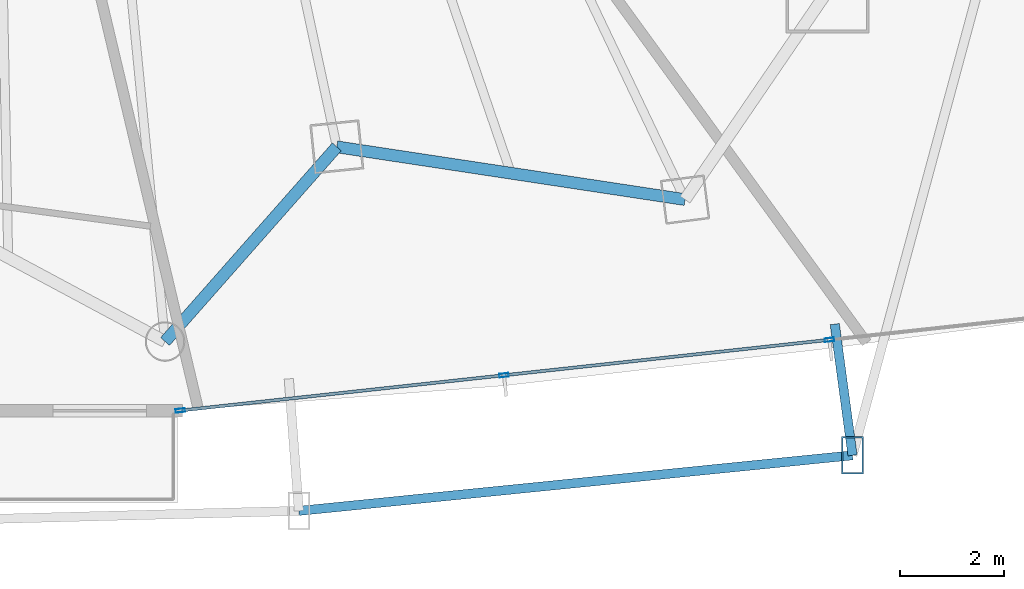
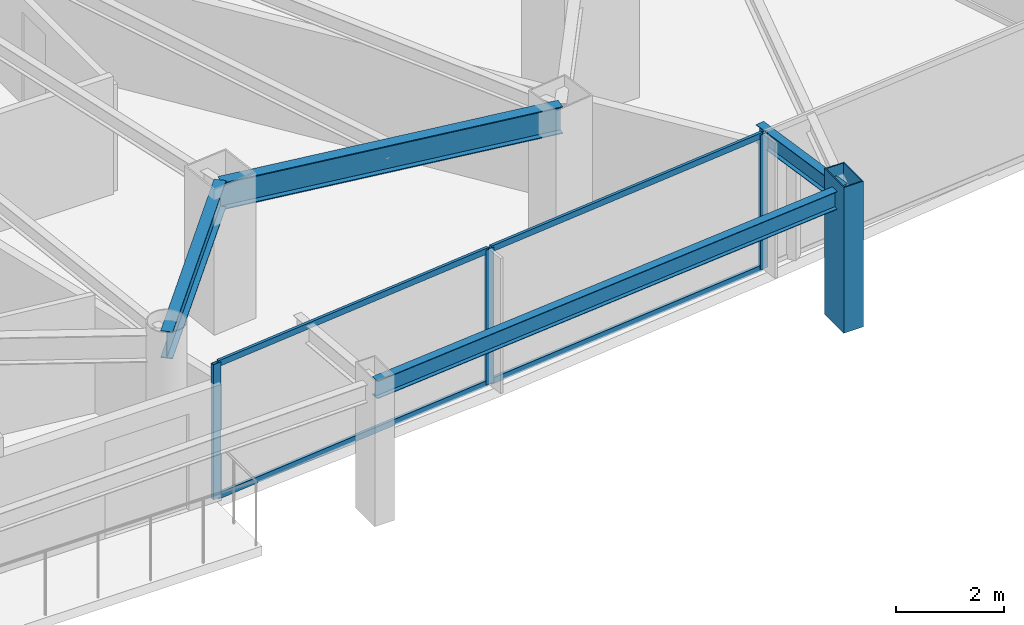
# One storey, part 13 of 33: 8 members, 4 beams, 1 element without a shape of its own.
"""IFC4 building model written with IfcOpenShell, lengths in metres."""

from ifc_helpers import new_model, si_unit, direction, frame, origin, origin_2d, place, context, subcontext, project, spatial, hollow_rectangle, i_section, extrude, material, layer, layer_set, material_profile, profile_set, type_object, element, aggregate, save


model = new_model("IFC4")

# Units and contexts
model_context = context("Model", 3, precision=1e-05, world=origin(), true_north=direction((0.0, 1.0)))
body_context = subcontext(model_context, "Body", "Model", "MODEL_VIEW")
ifc_project = project(units=[si_unit("LENGTHUNIT", "METRE"), si_unit("AREAUNIT", "SQUARE_METRE"), si_unit("VOLUMEUNIT", "CUBIC_METRE"), si_unit("PLANEANGLEUNIT", "RADIAN"), si_unit("MASSUNIT", "GRAM", prefix="KILO")], contexts=[model_context])

# Site, building, storey
site_placement = place(None, origin())
site = spatial("IfcSite", under=ifc_project, at=site_placement, CompositionType="ELEMENT")
building_placement = place(site_placement, origin())
building = spatial("IfcBuilding", under=site, at=building_placement, Name="Orvanel Arch Residences", CompositionType="ELEMENT")
storey_placement = place(building_placement, frame((0.0, 0.0, 84.050048828125)))
storey = spatial("IfcBuildingStorey", under=building, at=storey_placement, Name="L23", CompositionType="ELEMENT", Elevation=84.050048828125)

# Member
ifc_material_1 = material(Name="Structural steel AS/NZS 3678 Grade 350", Category="steel")
ifc_material_profile_1 = material_profile(ifc_material_1, hollow_rectangle(XDim=0.419921875, YDim=0.719970703125, WallThickness=0.02490234375, at=origin_2d()), Name="RHS720x420x25")
ifc_profile_set_1 = profile_set([ifc_material_profile_1], Name="Structural steel AS/NZS 3678 Grade 350")
member_type_1 = type_object("IfcMemberType", Name="CH-720RHS-EXT", PredefinedType="CHORD", material=ifc_profile_set_1)
member_1_placement = place(storey_placement, frame((52.284912109375, 1.4130859375, 0.0), z_axis=(0.0, 0.0, 1.0), x_axis=(1.0, 0.0, 0.0)))
element("IfcMember", 1, at=member_1_placement, inside=storey, type_object=member_type_1, Name="L23 Outer Perimeter Frame Post 08", PredefinedType="CHORD", context=body_context, shape_type="SweptSolid", body=[
    extrude(hollow_rectangle(XDim=0.419921875, YDim=0.719970703125, WallThickness=0.02490234375, at=origin_2d()), origin(), (0.0, 0.0, 1.0), 3.300048828125),
])

# Curtain wall, members
ifc_material_2 = material(Name="Bronze-anodised aluminium AA6063-T6", Category="aluminium")
ifc_layer = layer(ifc_material_2, 0.179931640625)
ifc_layer_set = layer_set([ifc_layer], Name="Bronze-anodised aluminium AA6063-T6")
curtain_wall_type = type_object("IfcCurtainWallType", Name="CW2-LOW-SYS", PredefinedType="NOTDEFINED", material=ifc_layer_set)
curtain_wall_placement = place(storey_placement, origin())
curtain_wall = element("IfcCurtainWall", 2, at=curtain_wall_placement, inside=storey, type_object=curtain_wall_type, Name="L23 CW2-LOW-SYS Unitised Curtain Wall", PredefinedType="NOTDEFINED")
ifc_material_profile_2 = material_profile(ifc_material_2, hollow_rectangle(XDim=0.070068359375, YDim=0.179931640625, WallThickness=0.00439453125, at=origin_2d()), Name="ALU180x70x4.5")
ifc_profile_set_2 = profile_set([ifc_material_profile_2], Name="Bronze-anodised aluminium AA6063-T6")
member_type_2 = type_object("IfcMemberType", Name="MUL-180x70", PredefinedType="MULLION", material=ifc_profile_set_2)
member_2_placement = place(storey_placement, frame((39.3369140625, 2.27587890625, 0.0), z_axis=(0.0, 0.0, 1.0), x_axis=(-0.108307893213, 0.994117397629, 0.0)))
member_2 = element("IfcMember", 3, at=member_2_placement, type_object=member_type_2, Name="CW-S2 mullion 1", PredefinedType="MULLION", context=body_context, shape_type="SweptSolid", body=[
    extrude(hollow_rectangle(XDim=0.070068359375, YDim=0.179931640625, WallThickness=0.00439453125, at=origin_2d()), origin(), (0.0, 0.0, 1.0), 3.06005859375),
])
member_3_placement = place(storey_placement, frame((45.571044921875, 2.955078125, 0.0), z_axis=(0.0, 0.0, 1.0), x_axis=(-0.108307893213, 0.994117397629, 0.0)))
member_3 = element("IfcMember", 4, at=member_3_placement, type_object=member_type_2, Name="CW-S2 mullion 2", PredefinedType="MULLION", context=body_context, shape_type="SweptSolid", body=[
    extrude(hollow_rectangle(XDim=0.070068359375, YDim=0.179931640625, WallThickness=0.00439453125, at=origin_2d()), origin(), (0.0, 0.0, 1.0), 3.06005859375),
])
member_4_placement = place(storey_placement, frame((51.840087890625, 3.637939453125, 0.0), z_axis=(0.0, 0.0, 1.0), x_axis=(-0.108307893213, 0.994117397629, 0.0)))
member_4 = element("IfcMember", 5, at=member_4_placement, type_object=member_type_2, Name="CW-S2 mullion 3", PredefinedType="MULLION", context=body_context, shape_type="SweptSolid", body=[
    extrude(hollow_rectangle(XDim=0.070068359375, YDim=0.179931640625, WallThickness=0.00439453125, at=origin_2d()), origin(), (0.0, 0.0, 1.0), 3.06005859375),
])

# Beams
ifc_material_3 = material(Name="Structural steel AS/NZS 3679.1 Grade 300 (300 MPa)", Category="steel")
ifc_material_profile_3 = material_profile(ifc_material_3, i_section(OverallWidth=0.177978515625, OverallDepth=0.406005859375, WebThickness=0.0078125, FlangeThickness=0.0126953125, at=origin_2d()), Name="410UB59.7")
ifc_profile_set_3 = profile_set([ifc_material_profile_3], Name="Structural steel AS/NZS 3679.1 Grade 300 (300 MPa)")
beam_type_1 = type_object("IfcBeamType", Name="OB-410UB-EXT", PredefinedType="SPANDREL", material=ifc_profile_set_3)
beam_1_placement = place(storey_placement, frame((41.6201171875, 0.343017578125, 2.85693359375), z_axis=(0.995003983091, 0.099835232422, 0.0), x_axis=(-0.099835232422, 0.995003983091, 0.0)))
element("IfcBeam", 6, at=beam_1_placement, inside=storey, type_object=beam_type_1, Name="L23 Outer Perimeter Floor Ring Beam 07", PredefinedType="SPANDREL", context=body_context, shape_type="SweptSolid", body=[
    extrude(i_section(OverallWidth=0.177978515625, OverallDepth=0.406005859375, WebThickness=0.0078125, FlangeThickness=0.0126953125, at=origin_2d()), origin(), (0.0, 0.0, 1.0), 10.71826171875),
])
beam_2_placement = place(storey_placement, frame((51.943115234375, 3.93994140625, 2.85693359375), z_axis=(0.134044961502, -0.990975251102, 0.0), x_axis=(0.990975251102, 0.134044961502, 0.0)))
element("IfcBeam", 7, at=beam_2_placement, inside=storey, type_object=beam_type_1, Name="L23 Outer Frame Radial Tie Beam 08", PredefinedType="SPANDREL", context=body_context, shape_type="SweptSolid", body=[
    extrude(i_section(OverallWidth=0.177978515625, OverallDepth=0.406005859375, WebThickness=0.0078125, FlangeThickness=0.0126953125, at=origin_2d()), origin(), (0.0, 0.0, 1.0), 2.5498046875),
])
ifc_material_profile_4 = material_profile(ifc_material_3, i_section(OverallWidth=0.22900390625, OverallDepth=0.612060546875, WebThickness=0.011962890625, FlangeThickness=0.01953125, at=origin_2d()), Name="610UB125")
ifc_profile_set_4 = profile_set([ifc_material_profile_4], Name="Structural steel AS/NZS 3679.1 Grade 300 (300 MPa)")
beam_type_2 = type_object("IfcBeamType", Name="SP-610UB", PredefinedType="SPANDREL", material=ifc_profile_set_4)
beam_3_placement = place(storey_placement, frame((39.0419921875, 3.60498046875, 2.75390625), z_axis=(0.661650698195, 0.749812212209, 0.0), x_axis=(-0.749812212209, 0.661650698195, 0.0)))
element("IfcBeam", 8, at=beam_3_placement, inside=storey, type_object=beam_type_2, Name="L23 Perimeter Spandrel Beam 08", PredefinedType="SPANDREL", context=body_context, shape_type="SweptSolid", body=[
    extrude(i_section(OverallWidth=0.22900390625, OverallDepth=0.612060546875, WebThickness=0.011962890625, FlangeThickness=0.01953125, at=origin_2d()), origin(), (0.0, 0.0, 1.0), 5.001220703125),
])
beam_4_placement = place(storey_placement, frame((42.35107421875, 7.35498046875, 2.75390625), z_axis=(0.988726323014, -0.149733958002, 0.0), x_axis=(0.149733958002, 0.988726323014, 0.0)))
element("IfcBeam", 9, at=beam_4_placement, inside=storey, type_object=beam_type_2, Name="L23 Perimeter Spandrel Beam 09", PredefinedType="SPANDREL", context=body_context, shape_type="SweptSolid", body=[
    extrude(i_section(OverallWidth=0.22900390625, OverallDepth=0.612060546875, WebThickness=0.011962890625, FlangeThickness=0.01953125, at=origin_2d()), origin(), (0.0, 0.0, 1.0), 6.784423828125),
])

# Member
ifc_material_profile_5 = material_profile(ifc_material_2, hollow_rectangle(XDim=0.06005859375, YDim=0.135009765625, WallThickness=0.00390625, at=origin_2d()), Name="ALU135x60x4")
ifc_profile_set_5 = profile_set([ifc_material_profile_5], Name="Bronze-anodised aluminium AA6063-T6")
member_type_3 = type_object("IfcMemberType", Name="TRN-135x60", PredefinedType="USERDEFINED", material=ifc_profile_set_5)
member_5_placement = place(storey_placement, frame((39.37158203125, 2.279541015625, 0.030029296875), z_axis=(0.994117215729, 0.108309562791, 0.0), x_axis=(-0.108309562791, 0.994117215729, 0.0)))
member_5 = element("IfcMember", 10, at=member_5_placement, type_object=member_type_3, Name="CW-S2 transom 1.1", ObjectType="TRANSOM", PredefinedType="USERDEFINED", context=body_context, shape_type="SweptSolid", body=[
    extrude(hollow_rectangle(XDim=0.06005859375, YDim=0.135009765625, WallThickness=0.00390625, at=origin_2d()), origin(), (0.0, 0.0, 1.0), 6.200927734375),
])

member_6_placement = place(storey_placement, frame((39.37158203125, 2.279541015625, 3.030029296875), z_axis=(0.994117215729, 0.108309562791, 0.0), x_axis=(-0.108309562791, 0.994117215729, 0.0)))
member_6 = element("IfcMember", 11, at=member_6_placement, type_object=member_type_3, Name="CW-S2 transom 1.2", ObjectType="TRANSOM", PredefinedType="USERDEFINED", context=body_context, shape_type="SweptSolid", body=[
    extrude(hollow_rectangle(XDim=0.06005859375, YDim=0.135009765625, WallThickness=0.00390625, at=origin_2d()), origin(), (0.0, 0.0, 1.0), 6.200927734375),
])

member_7_placement = place(storey_placement, frame((45.605712890625, 2.958740234375, 0.030029296875), z_axis=(0.994115444841, 0.108325815614, 0.0), x_axis=(-0.108325815614, 0.994115444841, 0.0)))
member_7 = element("IfcMember", 12, at=member_7_placement, type_object=member_type_3, Name="CW-S2 transom 2.1", ObjectType="TRANSOM", PredefinedType="USERDEFINED", context=body_context, shape_type="SweptSolid", body=[
    extrude(hollow_rectangle(XDim=0.06005859375, YDim=0.135009765625, WallThickness=0.00390625, at=origin_2d()), origin(), (0.0, 0.0, 1.0), 6.236083984375),
])

member_8_placement = place(storey_placement, frame((45.605712890625, 2.958740234375, 3.030029296875), z_axis=(0.994115444841, 0.108325815614, 0.0), x_axis=(-0.108325815614, 0.994115444841, 0.0)))
member_8 = element("IfcMember", 13, at=member_8_placement, type_object=member_type_3, Name="CW-S2 transom 2.2", ObjectType="TRANSOM", PredefinedType="USERDEFINED", context=body_context, shape_type="SweptSolid", body=[
    extrude(hollow_rectangle(XDim=0.06005859375, YDim=0.135009765625, WallThickness=0.00390625, at=origin_2d()), origin(), (0.0, 0.0, 1.0), 6.236083984375),
])

aggregate(curtain_wall, [member_2, member_3, member_4, member_5, member_6, member_7, member_8])

save(model, "model.ifc")
